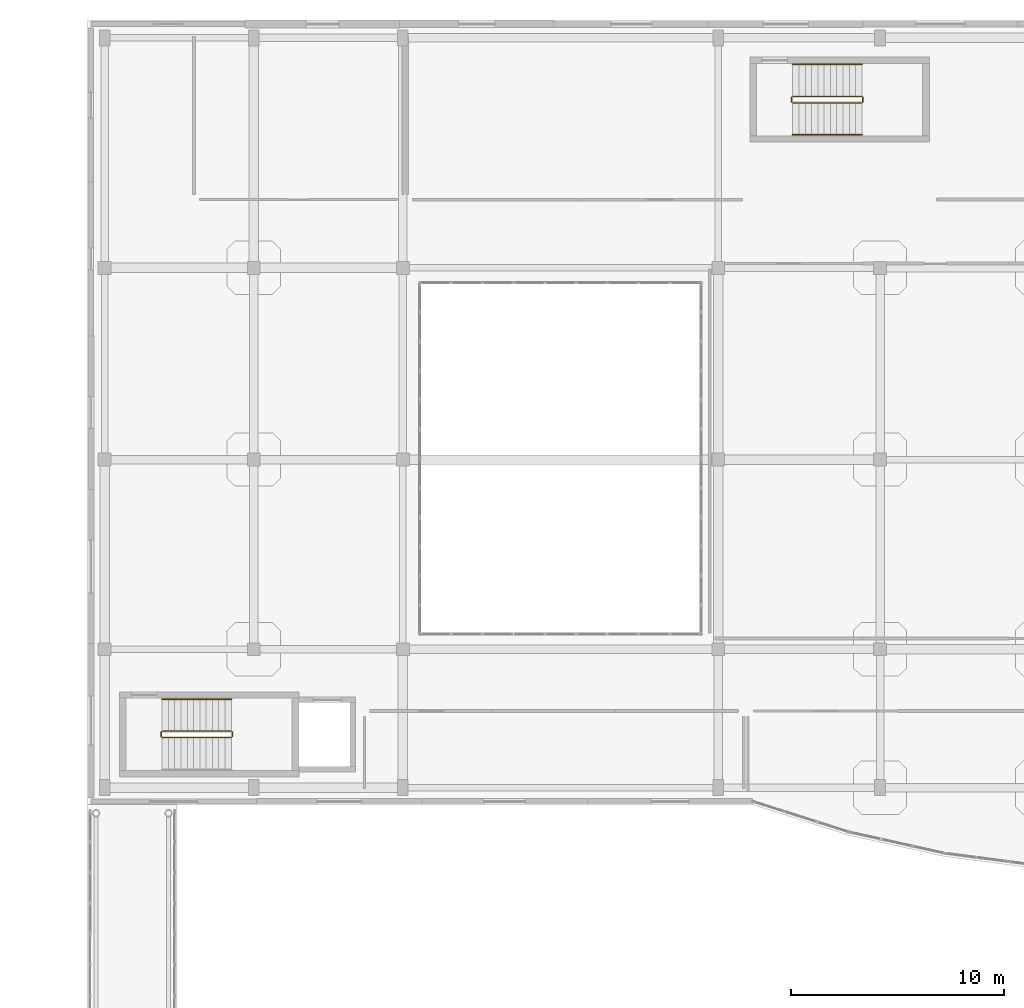
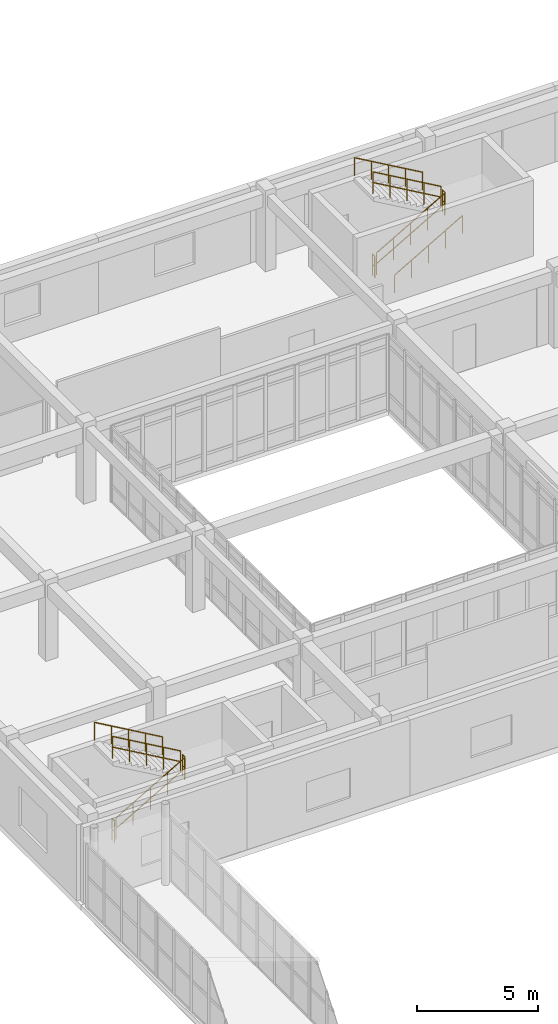
# One storey, part 145 of 146: 11 railings.
"""IFC4 building model written with IfcOpenShell, lengths in metres."""

from ifc_helpers import new_model, si_unit, direction, frame, origin, origin_2d, place, context, subcontext, project, spatial, circle, extrude, material, type_object, element, save


model = new_model("IFC4")

# Units and contexts
model_context = context("Model", 3, precision=1e-05, world=origin(), true_north=direction((0.0, 1.0)))
body_context = subcontext(model_context, "Body", "Model", "MODEL_VIEW")
ifc_project = project(units=[si_unit("LENGTHUNIT", "METRE"), si_unit("AREAUNIT", "SQUARE_METRE"), si_unit("VOLUMEUNIT", "CUBIC_METRE"), si_unit("PLANEANGLEUNIT", "RADIAN"), si_unit("MASSUNIT", "GRAM", prefix="KILO")], contexts=[model_context])

# Site, building, storey
site_placement = place(None, origin())
site = spatial("IfcSite", under=ifc_project, at=site_placement, CompositionType="ELEMENT")
building_placement = place(site_placement, origin())
building = spatial("IfcBuilding", under=site, at=building_placement, Name="Valcora Specialist Clinic", CompositionType="ELEMENT")
storey_placement = place(building_placement, frame((0.0, 0.0, 9.52001953125)))
storey = spatial("IfcBuildingStorey", under=building, at=storey_placement, Name="L02", CompositionType="ELEMENT", Elevation=9.52001953125)

# Railings
ifc_material = material(Name="Stainless Steel AISI 316", Category="steel")
railing_type_1 = type_object("IfcRailingType", Name="TY-RL-GRD112", PredefinedType="GUARDRAIL", material=ifc_material)
railing_1_placement = place(storey_placement, frame((64.699951171875, 77.14990234375, 0.169921875)))
element("IfcRailing", 1, at=railing_1_placement, inside=storey, type_object=railing_type_1, Name="L02 ST-V4A stair guard 1", PredefinedType="GUARDRAIL", context=body_context, shape_type="SweptSolid", body=[
    extrude(circle(Radius=0.02392578125, at=origin_2d()), frame((0.0, 0.0, 1.09619140625), z_axis=(0.866424229515, 0.0, 0.499308576443), x_axis=(0.0, 1.0, 0.0)), (0.0, 0.0, 1.0), 3.745361328125),
    extrude(circle(Radius=0.02392578125, at=origin_2d()), frame((0.0, 0.0, 0.56005859375), z_axis=(0.866424229515, 0.0, 0.499308576443), x_axis=(0.0, 1.0, 0.0)), (0.0, 0.0, 1.0), 3.745361328125),
    extrude(circle(Radius=0.02099609375, at=origin_2d()), origin(), (0.0, 0.0, 1.0), 1.072021484375),
    extrude(circle(Radius=0.02099609375, at=origin_2d()), frame((0.811279296875, 0.0, 0.467529296875)), (0.0, 0.0, 1.0), 1.072021484375),
    extrude(circle(Radius=0.02099609375, at=origin_2d()), frame((1.62255859375, 0.0, 0.93505859375)), (0.0, 0.0, 1.0), 1.072021484375),
    extrude(circle(Radius=0.02099609375, at=origin_2d()), frame((2.433837890625, 0.0, 1.402587890625)), (0.0, 0.0, 1.0), 1.072021484375),
    extrude(circle(Radius=0.02099609375, at=origin_2d()), frame((3.2451171875, 0.0, 1.8701171875)), (0.0, 0.0, 1.0), 1.072021484375),
])
railing_2_placement = place(storey_placement, frame((67.9951171875, 77.199951171875, 2.0400390625)))
element("IfcRailing", 2, at=railing_2_placement, inside=storey, type_object=railing_type_1, Name="L02 ST-V4A stair guard 2", PredefinedType="GUARDRAIL", context=body_context, shape_type="SweptSolid", body=[
    extrude(circle(Radius=0.02392578125, at=origin_2d()), frame((0.0, 0.0, 1.09619140625), z_axis=(0.0, 1.0, 0.0), x_axis=(-1.0, 0.0, 0.0)), (0.0, 0.0, 1.0), 0.199951171875),
    extrude(circle(Radius=0.02392578125, at=origin_2d()), frame((0.0, 0.0, 0.56005859375), z_axis=(0.0, 1.0, 0.0), x_axis=(-1.0, 0.0, 0.0)), (0.0, 0.0, 1.0), 0.199951171875),
    extrude(circle(Radius=0.02099609375, at=origin_2d()), origin(), (0.0, 0.0, 1.0), 1.072021484375),
    extrude(circle(Radius=0.02099609375, at=origin_2d()), frame((0.0, 0.199951171875, 0.0)), (0.0, 0.0, 1.0), 1.072021484375),
])
railing_3_placement = place(storey_placement, frame((67.945068359375, 77.449951171875, 2.2099609375)))
element("IfcRailing", 3, at=railing_3_placement, inside=storey, type_object=railing_type_1, Name="L02 ST-V4A stair guard 3", PredefinedType="GUARDRAIL", context=body_context, shape_type="SweptSolid", body=[
    extrude(circle(Radius=0.02392578125, at=origin_2d()), frame((0.0, 0.0, 1.09619140625), z_axis=(-0.866424229515, 0.0, 0.499308576443), x_axis=(0.0, -1.0, 0.0)), (0.0, 0.0, 1.0), 3.745361328125),
    extrude(circle(Radius=0.02392578125, at=origin_2d()), frame((0.0, 0.0, 0.56005859375), z_axis=(-0.866424229515, 0.0, 0.499308576443), x_axis=(0.0, -1.0, 0.0)), (0.0, 0.0, 1.0), 3.745361328125),
    extrude(circle(Radius=0.02099609375, at=origin_2d()), origin(), (0.0, 0.0, 1.0), 1.072021484375),
    extrude(circle(Radius=0.02099609375, at=origin_2d()), frame((-0.811279296875, 0.0, 0.467529296875)), (0.0, 0.0, 1.0), 1.072021484375),
    extrude(circle(Radius=0.02099609375, at=origin_2d()), frame((-1.62255859375, 0.0, 0.93505859375)), (0.0, 0.0, 1.0), 1.072021484375),
    extrude(circle(Radius=0.02099609375, at=origin_2d()), frame((-2.433837890625, 0.0, 1.402587890625)), (0.0, 0.0, 1.0), 1.072021484375),
    extrude(circle(Radius=0.02099609375, at=origin_2d()), frame((-3.2451171875, 0.0, 1.8701171875)), (0.0, 0.0, 1.0), 1.072021484375),
])
railing_4_placement = place(storey_placement, frame((64.64990234375, 77.199951171875, 0.0)))
element("IfcRailing", 4, at=railing_4_placement, inside=storey, type_object=railing_type_1, Name="L02 ST-V4A stair guard 4", PredefinedType="GUARDRAIL", context=body_context, shape_type="SweptSolid", body=[
    extrude(circle(Radius=0.02392578125, at=origin_2d()), frame((0.0, 0.0, 1.09619140625), z_axis=(0.0, 1.0, 0.0), x_axis=(-1.0, 0.0, 0.0)), (0.0, 0.0, 1.0), 0.199951171875),
    extrude(circle(Radius=0.02392578125, at=origin_2d()), frame((0.0, 0.0, 0.56005859375), z_axis=(0.0, 1.0, 0.0), x_axis=(-1.0, 0.0, 0.0)), (0.0, 0.0, 1.0), 0.199951171875),
    extrude(circle(Radius=0.02099609375, at=origin_2d()), origin(), (0.0, 0.0, 1.0), 1.072021484375),
    extrude(circle(Radius=0.02099609375, at=origin_2d()), frame((0.0, 0.199951171875, 0.0)), (0.0, 0.0, 1.0), 1.072021484375),
])
railing_5_placement = place(storey_placement, frame((94.300048828125, 106.949951171875, 0.169921875)))
element("IfcRailing", 5, at=railing_5_placement, inside=storey, type_object=railing_type_1, Name="L02 ST-V4B stair guard 1", PredefinedType="GUARDRAIL", context=body_context, shape_type="SweptSolid", body=[
    extrude(circle(Radius=0.02392578125, at=origin_2d()), frame((0.0, 0.0, 1.09619140625), z_axis=(0.866407977205, 0.0, 0.499336777172), x_axis=(0.0, 1.0, 0.0)), (0.0, 0.0, 1.0), 3.7451171875),
    extrude(circle(Radius=0.02392578125, at=origin_2d()), frame((0.0, 0.0, 0.56005859375), z_axis=(0.866407977205, 0.0, 0.499336777172), x_axis=(0.0, 1.0, 0.0)), (0.0, 0.0, 1.0), 3.7451171875),
    extrude(circle(Radius=0.02099609375, at=origin_2d()), origin(), (0.0, 0.0, 1.0), 1.072021484375),
    extrude(circle(Radius=0.02099609375, at=origin_2d()), frame((0.811279296875, 0.0, 0.467529296875)), (0.0, 0.0, 1.0), 1.072021484375),
    extrude(circle(Radius=0.02099609375, at=origin_2d()), frame((1.62255859375, 0.0, 0.93505859375)), (0.0, 0.0, 1.0), 1.072021484375),
    extrude(circle(Radius=0.02099609375, at=origin_2d()), frame((2.43359375, 0.0, 1.402587890625)), (0.0, 0.0, 1.0), 1.072021484375),
    extrude(circle(Radius=0.02099609375, at=origin_2d()), frame((3.244873046875, 0.0, 1.8701171875)), (0.0, 0.0, 1.0), 1.072021484375),
])
railing_6_placement = place(storey_placement, frame((97.594970703125, 107.0, 2.0400390625)))
element("IfcRailing", 6, at=railing_6_placement, inside=storey, type_object=railing_type_1, Name="L02 ST-V4B stair guard 2", PredefinedType="GUARDRAIL", context=body_context, shape_type="SweptSolid", body=[
    extrude(circle(Radius=0.02392578125, at=origin_2d()), frame((0.0, 0.0, 1.09619140625), z_axis=(0.0, 1.0, 0.0), x_axis=(-1.0, 0.0, 0.0)), (0.0, 0.0, 1.0), 0.199951171875),
    extrude(circle(Radius=0.02392578125, at=origin_2d()), frame((0.0, 0.0, 0.56005859375), z_axis=(0.0, 1.0, 0.0), x_axis=(-1.0, 0.0, 0.0)), (0.0, 0.0, 1.0), 0.199951171875),
    extrude(circle(Radius=0.02099609375, at=origin_2d()), origin(), (0.0, 0.0, 1.0), 1.072021484375),
    extrude(circle(Radius=0.02099609375, at=origin_2d()), frame((0.0, 0.199951171875, 0.0)), (0.0, 0.0, 1.0), 1.072021484375),
])
railing_7_placement = place(storey_placement, frame((97.544921875, 107.25, 2.2099609375)))
element("IfcRailing", 7, at=railing_7_placement, inside=storey, type_object=railing_type_1, Name="L02 ST-V4B stair guard 3", PredefinedType="GUARDRAIL", context=body_context, shape_type="SweptSolid", body=[
    extrude(circle(Radius=0.02392578125, at=origin_2d()), frame((0.0, 0.0, 1.09619140625), z_axis=(-0.866407977205, 0.0, 0.499336777172), x_axis=(0.0, -1.0, 0.0)), (0.0, 0.0, 1.0), 3.7451171875),
    extrude(circle(Radius=0.02392578125, at=origin_2d()), frame((0.0, 0.0, 0.56005859375), z_axis=(-0.866407977205, 0.0, 0.499336777172), x_axis=(0.0, -1.0, 0.0)), (0.0, 0.0, 1.0), 3.7451171875),
    extrude(circle(Radius=0.02099609375, at=origin_2d()), origin(), (0.0, 0.0, 1.0), 1.072021484375),
    extrude(circle(Radius=0.02099609375, at=origin_2d()), frame((-0.811279296875, 0.0, 0.467529296875)), (0.0, 0.0, 1.0), 1.072021484375),
    extrude(circle(Radius=0.02099609375, at=origin_2d()), frame((-1.62255859375, 0.0, 0.93505859375)), (0.0, 0.0, 1.0), 1.072021484375),
    extrude(circle(Radius=0.02099609375, at=origin_2d()), frame((-2.43359375, 0.0, 1.402587890625)), (0.0, 0.0, 1.0), 1.072021484375),
    extrude(circle(Radius=0.02099609375, at=origin_2d()), frame((-3.244873046875, 0.0, 1.8701171875)), (0.0, 0.0, 1.0), 1.072021484375),
])
railing_8_placement = place(storey_placement, frame((94.25, 107.0, 0.0)))
element("IfcRailing", 8, at=railing_8_placement, inside=storey, type_object=railing_type_1, Name="L02 ST-V4B stair guard 4", PredefinedType="GUARDRAIL", context=body_context, shape_type="SweptSolid", body=[
    extrude(circle(Radius=0.02392578125, at=origin_2d()), frame((0.0, 0.0, 1.09619140625), z_axis=(0.0, 1.0, 0.0), x_axis=(-1.0, 0.0, 0.0)), (0.0, 0.0, 1.0), 0.199951171875),
    extrude(circle(Radius=0.02392578125, at=origin_2d()), frame((0.0, 0.0, 0.56005859375), z_axis=(0.0, 1.0, 0.0), x_axis=(-1.0, 0.0, 0.0)), (0.0, 0.0, 1.0), 0.199951171875),
    extrude(circle(Radius=0.02099609375, at=origin_2d()), origin(), (0.0, 0.0, 1.0), 1.072021484375),
    extrude(circle(Radius=0.02099609375, at=origin_2d()), frame((0.0, 0.199951171875, 0.0)), (0.0, 0.0, 1.0), 1.072021484375),
])
railing_type_2 = type_object("IfcRailingType", Name="TY-RL-HND092", PredefinedType="HANDRAIL", material=ifc_material)
railing_9_placement = place(storey_placement, frame((67.945068359375, 78.949951171875, 2.2099609375)))
element("IfcRailing", 9, at=railing_9_placement, inside=storey, type_object=railing_type_2, Name="L02 ST-V4A stair handrail 2", PredefinedType="HANDRAIL", context=body_context, shape_type="SweptSolid", body=[
    extrude(circle(Radius=0.02392578125, at=origin_2d()), frame((0.0, 0.0, 0.89599609375), z_axis=(-0.866424229515, 0.0, 0.499308576443), x_axis=(0.0, -1.0, 0.0)), (0.0, 0.0, 1.0), 3.745361328125),
    extrude(circle(Radius=0.02099609375, at=origin_2d()), origin(), (0.0, 0.0, 1.0), 0.871826171875),
    extrude(circle(Radius=0.02099609375, at=origin_2d()), frame((-0.811279296875, 0.0, 0.467529296875)), (0.0, 0.0, 1.0), 0.871826171875),
    extrude(circle(Radius=0.02099609375, at=origin_2d()), frame((-1.62255859375, 0.0, 0.93505859375)), (0.0, 0.0, 1.0), 0.871826171875),
    extrude(circle(Radius=0.02099609375, at=origin_2d()), frame((-2.433837890625, 0.0, 1.402587890625)), (0.0, 0.0, 1.0), 0.871826171875),
    extrude(circle(Radius=0.02099609375, at=origin_2d()), frame((-3.2451171875, 0.0, 1.8701171875)), (0.0, 0.0, 1.0), 0.871826171875),
])
railing_10_placement = place(storey_placement, frame((94.300048828125, 105.449951171875, 0.169921875)))
element("IfcRailing", 10, at=railing_10_placement, inside=storey, type_object=railing_type_2, Name="L02 ST-V4B stair handrail 1", PredefinedType="HANDRAIL", context=body_context, shape_type="SweptSolid", body=[
    extrude(circle(Radius=0.02392578125, at=origin_2d()), frame((0.0, 0.0, 0.89599609375), z_axis=(0.866407977205, 0.0, 0.499336777172), x_axis=(0.0, 1.0, 0.0)), (0.0, 0.0, 1.0), 3.7451171875),
    extrude(circle(Radius=0.02099609375, at=origin_2d()), origin(), (0.0, 0.0, 1.0), 0.871826171875),
    extrude(circle(Radius=0.02099609375, at=origin_2d()), frame((0.811279296875, 0.0, 0.467529296875)), (0.0, 0.0, 1.0), 0.871826171875),
    extrude(circle(Radius=0.02099609375, at=origin_2d()), frame((1.62255859375, 0.0, 0.93505859375)), (0.0, 0.0, 1.0), 0.871826171875),
    extrude(circle(Radius=0.02099609375, at=origin_2d()), frame((2.43359375, 0.0, 1.402587890625)), (0.0, 0.0, 1.0), 0.871826171875),
    extrude(circle(Radius=0.02099609375, at=origin_2d()), frame((3.244873046875, 0.0, 1.8701171875)), (0.0, 0.0, 1.0), 0.871826171875),
])
railing_11_placement = place(storey_placement, frame((97.544921875, 108.75, 2.2099609375)))
element("IfcRailing", 11, at=railing_11_placement, inside=storey, type_object=railing_type_2, Name="L02 ST-V4B stair handrail 2", PredefinedType="HANDRAIL", context=body_context, shape_type="SweptSolid", body=[
    extrude(circle(Radius=0.02392578125, at=origin_2d()), frame((0.0, 0.0, 0.89599609375), z_axis=(-0.866407977205, 0.0, 0.499336777172), x_axis=(0.0, -1.0, 0.0)), (0.0, 0.0, 1.0), 3.7451171875),
    extrude(circle(Radius=0.02099609375, at=origin_2d()), origin(), (0.0, 0.0, 1.0), 0.871826171875),
    extrude(circle(Radius=0.02099609375, at=origin_2d()), frame((-0.811279296875, 0.0, 0.467529296875)), (0.0, 0.0, 1.0), 0.871826171875),
    extrude(circle(Radius=0.02099609375, at=origin_2d()), frame((-1.62255859375, 0.0, 0.93505859375)), (0.0, 0.0, 1.0), 0.871826171875),
    extrude(circle(Radius=0.02099609375, at=origin_2d()), frame((-2.43359375, 0.0, 1.402587890625)), (0.0, 0.0, 1.0), 0.871826171875),
    extrude(circle(Radius=0.02099609375, at=origin_2d()), frame((-3.244873046875, 0.0, 1.8701171875)), (0.0, 0.0, 1.0), 0.871826171875),
])

save(model, "model.ifc")
